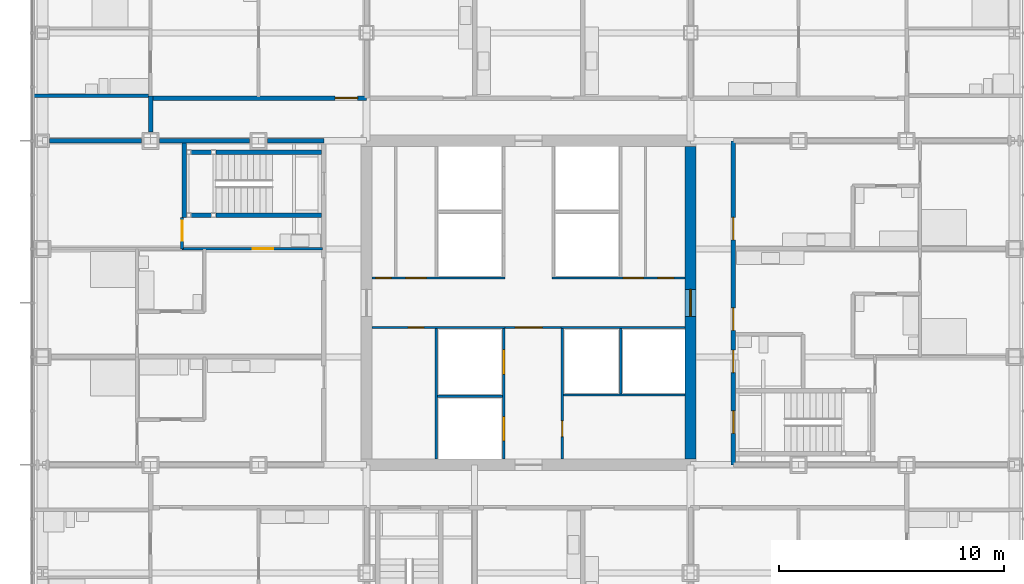
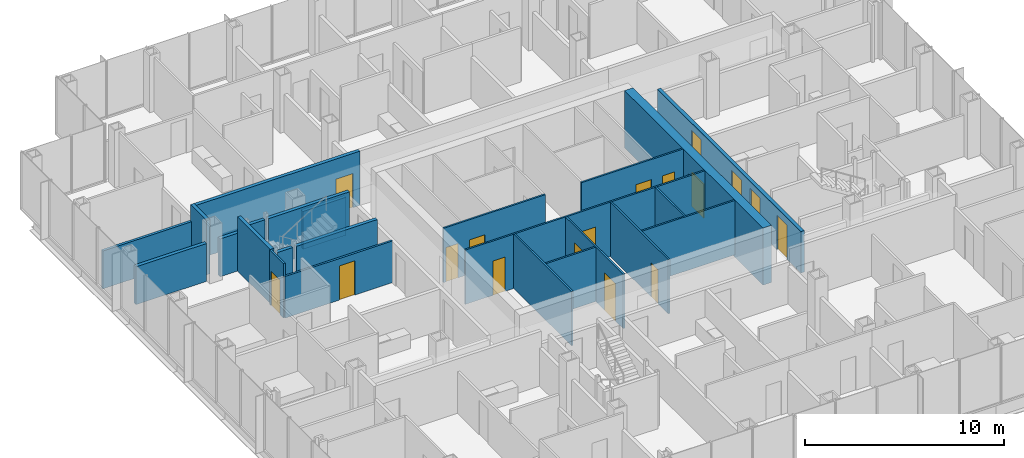
# One storey, part 15 of 21: 26 walls, 17 doors, 17 openings.
"""IFC4 building model written with IfcOpenShell, lengths in metres."""

from ifc_helpers import new_model, si_unit, direction, frame, frame_2d, origin, place, context, subcontext, project, spatial, rectangle, extrude, material, layer, layer_set, type_object, element, fill, save


model = new_model("IFC4")

# Units and contexts
model_context = context("Model", 3, precision=1e-05, world=origin(), true_north=direction((0.0, 1.0)))
body_context = subcontext(model_context, "Body", "Model", "MODEL_VIEW")
ifc_project = project(units=[si_unit("LENGTHUNIT", "METRE"), si_unit("AREAUNIT", "SQUARE_METRE"), si_unit("VOLUMEUNIT", "CUBIC_METRE"), si_unit("PLANEANGLEUNIT", "RADIAN"), si_unit("MASSUNIT", "GRAM", prefix="KILO")], contexts=[model_context])

# Site, building, storey
site_placement = place(None, origin())
site = spatial("IfcSite", under=ifc_project, at=site_placement, CompositionType="ELEMENT")
building_placement = place(site_placement, origin())
building = spatial("IfcBuilding", under=site, at=building_placement, Name="Kvirike Care Tower", CompositionType="ELEMENT")
storey_placement = place(building_placement, frame((0.0, 0.0, 48.0)))
storey = spatial("IfcBuildingStorey", under=building, at=storey_placement, Name="L12", CompositionType="ELEMENT", Elevation=48.0)

# Wall
ifc_material_1 = material(Name="Moisture-resistant board partition", Category="gypsum")
ifc_layer_1 = layer(ifc_material_1, 0.14990234375)
ifc_layer_set_1 = layer_set([ifc_layer_1], Name="BATHROOM WALL 150")
wall_type_1 = type_object("IfcWallType", Name="BATHROOM WALL 150", PredefinedType="PARTITIONING", material=ifc_layer_set_1)
wall_1_placement = place(storey_placement, frame((4.699951171875, 45.199951171875, 0.0), z_axis=(0.0, 0.0, 1.0), x_axis=(-1.0, 0.0, 0.0)))
element("IfcWall", 1, at=wall_1_placement, inside=storey, type_object=wall_type_1, Name="Bathroom Wall 150 L12", PredefinedType="PARTITIONING", context=body_context, shape_type="SweptSolid", body=[
    extrude(rectangle(XDim=5.135009765625, YDim=0.14990234375, at=frame_2d((2.5673828125, 0.0))), origin(), (0.0, 0.0, 1.0), 2.320068359375),
])

# Wall, opening, door
ifc_material_2 = material(Name="Concrete C60/75", Category="concrete")
ifc_layer_2 = layer(ifc_material_2, 0.5)
ifc_layer_set_2 = layer_set([ifc_layer_2], Name="CORE WALL 500 C60-75")
wall_type_2 = type_object("IfcWallType", Name="CORE WALL 500 C60-75", PredefinedType="SHEAR", material=ifc_layer_set_2)
wall_2_placement = place(storey_placement, frame((28.800048828125, 29.050048828125, -0.169921875), z_axis=(0.0, 0.0, 1.0), x_axis=(0.0, 1.0, 0.0)))
wall_2 = element("IfcWall", 2, at=wall_2_placement, inside=storey, type_object=wall_type_2, Name="Core wall E L12", PredefinedType="SHEAR", context=body_context, shape_type="SweptSolid", body=[
    extrude(rectangle(XDim=13.89990234375, YDim=0.5, at=frame_2d((6.949951171875, 0.0))), origin(), (0.0, 0.0, 1.0), 3.5),
])
opening_1_placement = place(wall_2_placement, frame((6.35009765625, 0.0, 0.169921875)))
opening_1 = element("IfcOpeningElement", 3, at=opening_1_placement, cuts=wall_2, Name="Opening 12-077", PredefinedType="OPENING", context=body_context, shape_type="SweptSolid", body=[
    extrude(rectangle(XDim=1.199951171875, YDim=2.10009765625, at=frame_2d((0.60009765625, 1.050048828125))), frame((0.0, 0.260498046875, 0.0), z_axis=(0.0, -1.0, 0.0), x_axis=(1.0, 0.0, 0.0)), (0.0, 0.0, 1.0), 0.52099609375),
])
ifc_material_3 = material(Name="Timber door set", Category="wood")
door_type_1 = type_object("IfcDoorType", Name="CORE DOOR 1200", OperationType="SINGLE_SWING_LEFT", PredefinedType="DOOR", material=ifc_material_3)
door_1_placement = place(opening_1_placement, origin())
door_1 = element("IfcDoor", 4, at=door_1_placement, inside=storey, type_object=door_type_1, Name="Core door E L12", OperationType="SINGLE_SWING_LEFT", OverallHeight=2.10009765625, OverallWidth=1.199951171875, PredefinedType="DOOR", context=body_context, shape_type="SweptSolid", body=[
    extrude(rectangle(XDim=1.199951171875, YDim=2.10009765625, at=frame_2d((0.60009765625, 1.050048828125))), frame((0.0, 0.02685546875, 0.0), z_axis=(0.0, -1.0, 0.0), x_axis=(1.0, 0.0, 0.0)), (0.0, 0.0, 1.0), 0.053955078125),
])
fill(opening_1, door_1)

ifc_material_4 = material(Name="Plasterboard corridor wall", Category="gypsum")
ifc_layer_3 = layer(ifc_material_4, 0.199951171875)
ifc_layer_set_3 = layer_set([ifc_layer_3], Name="CORRIDOR WALL 200")
wall_type_3 = type_object("IfcWallType", Name="CORRIDOR WALL 200", PredefinedType="PARTITIONING", material=ifc_layer_set_3)
wall_3_placement = place(storey_placement, frame((14.39990234375, 45.10009765625, 0.0), z_axis=(0.0, 0.0, 1.0), x_axis=(-1.0, 0.0, 0.0)))
wall_3 = element("IfcWall", 5, at=wall_3_placement, inside=storey, type_object=wall_type_3, Name="Corridor Wall 200 L12", PredefinedType="PARTITIONING", context=body_context, shape_type="SweptSolid", body=[
    extrude(rectangle(XDim=9.599853515625, YDim=0.199951171875, at=frame_2d((4.7998046875, 0.0))), origin(), (0.0, 0.0, 1.0), 3.330078125),
])
opening_2_placement = place(wall_3_placement, frame((0.39990234375, 0.0, 0.0)))
opening_2 = element("IfcOpeningElement", 6, at=opening_2_placement, cuts=wall_3, Name="Opening 12-023", PredefinedType="OPENING", context=body_context, shape_type="SweptSolid", body=[
    extrude(rectangle(XDim=1.0, YDim=2.10009765625, at=frame_2d((0.5, 1.050048828125))), frame((0.0, 0.110595703125, 0.0), z_axis=(0.0, -1.0, 0.0), x_axis=(1.0, 0.0, 0.0)), (0.0, 0.0, 1.0), 0.220947265625),
])
ifc_material_5 = material(Name="Timber door set", Category="wood")
door_type_2 = type_object("IfcDoorType", Name="FLAT ENTRANCE DOOR 1000", OperationType="SINGLE_SWING_LEFT", PredefinedType="DOOR", material=ifc_material_5)
door_2_placement = place(opening_2_placement, frame((1.0, 0.0, 0.0), z_axis=(0.0, 0.0, 1.0), x_axis=(-1.0, 0.0, 0.0)))
door_2 = element("IfcDoor", 7, at=door_2_placement, inside=storey, type_object=door_type_2, Name="Three-bedroom corner apartment entrance", OperationType="SINGLE_SWING_LEFT", OverallHeight=2.10009765625, OverallWidth=1.0, PredefinedType="DOOR", context=body_context, shape_type="SweptSolid", body=[
    extrude(rectangle(XDim=1.0, YDim=2.10009765625, at=frame_2d((0.5, 1.050048828125))), frame((0.0, 0.02685546875, 0.0), z_axis=(0.0, -1.0, 0.0), x_axis=(1.0, 0.0, 0.0)), (0.0, 0.0, 1.0), 0.053955078125),
])
fill(opening_2, door_2)

# Wall
wall_4_placement = place(storey_placement, frame((4.800048828125, 45.199951171875, 0.0), z_axis=(0.0, 0.0, 1.0), x_axis=(0.0, -1.0, 0.0)))
element("IfcWall", 8, at=wall_4_placement, inside=storey, type_object=wall_type_3, Name="Corridor Wall 200 L12", PredefinedType="PARTITIONING", context=body_context, shape_type="SweptSolid", body=[
    extrude(rectangle(XDim=1.60498046875, YDim=0.199951171875, at=frame_2d((0.802490234375, 0.0))), origin(), (0.0, 0.0, 1.0), 3.330078125),
])

# Wall, openings, doors
wall_5_placement = place(storey_placement, frame((30.699951171875, 28.800048828125, 0.0), z_axis=(0.0, 0.0, 1.0), x_axis=(0.0, 1.0, 0.0)))
wall_5 = element("IfcWall", 9, at=wall_5_placement, inside=storey, type_object=wall_type_3, Name="Corridor Wall 200 L12", PredefinedType="PARTITIONING", context=body_context, shape_type="SweptSolid", body=[
    extrude(rectangle(XDim=14.39990234375, YDim=0.199951171875, at=frame_2d((7.199951171875, 0.0))), origin(), (0.0, 0.0, 1.0), 2.550048828125),
])
opening_3_placement = place(wall_5_placement, frame((1.39990234375, 0.0, 0.0)))
opening_3 = element("IfcOpeningElement", 10, at=opening_3_placement, cuts=wall_5, Name="Opening 12-053", PredefinedType="OPENING", context=body_context, shape_type="SweptSolid", body=[
    extrude(rectangle(XDim=1.0, YDim=2.10009765625, at=frame_2d((0.5, 1.050048828125))), frame((0.0, 0.110595703125, 0.0), z_axis=(0.0, -1.0, 0.0), x_axis=(1.0, 0.0, 0.0)), (0.0, 0.0, 1.0), 0.220947265625),
])
opening_4_placement = place(wall_5_placement, frame((4.10009765625, 0.0, 0.0)))
opening_4 = element("IfcOpeningElement", 11, at=opening_4_placement, cuts=wall_5, Name="Opening 12-054", PredefinedType="OPENING", context=body_context, shape_type="SweptSolid", body=[
    extrude(rectangle(XDim=1.0, YDim=2.10009765625, at=frame_2d((0.5, 1.050048828125))), frame((0.0, 0.110595703125, 0.0), z_axis=(0.0, -1.0, 0.0), x_axis=(1.0, 0.0, 0.0)), (0.0, 0.0, 1.0), 0.220947265625),
])
opening_5_placement = place(wall_5_placement, frame((5.97509765625, 0.0, 0.0)))
opening_5 = element("IfcOpeningElement", 12, at=opening_5_placement, cuts=wall_5, Name="Opening 12-055", PredefinedType="OPENING", context=body_context, shape_type="SweptSolid", body=[
    extrude(rectangle(XDim=1.0, YDim=2.10009765625, at=frame_2d((0.5, 1.050048828125))), frame((0.0, 0.110595703125, 0.0), z_axis=(0.0, -1.0, 0.0), x_axis=(1.0, 0.0, 0.0)), (0.0, 0.0, 1.0), 0.220947265625),
])
opening_6_placement = place(wall_5_placement, frame((10.0, 0.0, 0.0)))
opening_6 = element("IfcOpeningElement", 13, at=opening_6_placement, cuts=wall_5, Name="Opening 12-056", PredefinedType="OPENING", context=body_context, shape_type="SweptSolid", body=[
    extrude(rectangle(XDim=1.0, YDim=2.10009765625, at=frame_2d((0.5, 1.050048828125))), frame((0.0, 0.110595703125, 0.0), z_axis=(0.0, -1.0, 0.0), x_axis=(1.0, 0.0, 0.0)), (0.0, 0.0, 1.0), 0.220947265625),
])
door_3_placement = place(opening_5_placement, frame((1.0, 0.0, 0.0), z_axis=(0.0, 0.0, 1.0), x_axis=(-1.0, 0.0, 0.0)))
door_3 = element("IfcDoor", 14, at=door_3_placement, inside=storey, type_object=door_type_2, Name="One-bedroom apartment entrance", OperationType="SINGLE_SWING_LEFT", OverallHeight=2.10009765625, OverallWidth=1.0, PredefinedType="DOOR", context=body_context, shape_type="SweptSolid", body=[
    extrude(rectangle(XDim=1.0, YDim=2.10009765625, at=frame_2d((0.5, 1.050048828125))), frame((0.0, 0.02685546875, 0.0), z_axis=(0.0, -1.0, 0.0), x_axis=(1.0, 0.0, 0.0)), (0.0, 0.0, 1.0), 0.053955078125),
])
fill(opening_5, door_3)
door_4_placement = place(opening_6_placement, frame((1.0, 0.0, 0.0), z_axis=(0.0, 0.0, 1.0), x_axis=(-1.0, 0.0, 0.0)))
door_4 = element("IfcDoor", 15, at=door_4_placement, inside=storey, type_object=door_type_2, Name="Studio apartment entrance", OperationType="SINGLE_SWING_LEFT", OverallHeight=2.10009765625, OverallWidth=1.0, PredefinedType="DOOR", context=body_context, shape_type="SweptSolid", body=[
    extrude(rectangle(XDim=1.0, YDim=2.10009765625, at=frame_2d((0.5, 1.050048828125))), frame((0.0, 0.02685546875, 0.0), z_axis=(0.0, -1.0, 0.0), x_axis=(1.0, 0.0, 0.0)), (0.0, 0.0, 1.0), 0.053955078125),
])
fill(opening_6, door_4)
ifc_material_6 = material(Name="Timber door set", Category="wood")
door_type_3 = type_object("IfcDoorType", Name="STAIR DOOR 1000", OperationType="SINGLE_SWING_LEFT", PredefinedType="DOOR", material=ifc_material_6)
door_5_placement = place(opening_3_placement, frame((1.0, 0.0, 0.0), z_axis=(0.0, 0.0, 1.0), x_axis=(-1.0, 0.0, 0.0)))
door_5 = element("IfcDoor", 16, at=door_5_placement, inside=storey, type_object=door_type_3, Name="Stair 2 door", OperationType="SINGLE_SWING_LEFT", OverallHeight=2.10009765625, OverallWidth=1.0, PredefinedType="DOOR", context=body_context, shape_type="SweptSolid", body=[
    extrude(rectangle(XDim=1.0, YDim=2.10009765625, at=frame_2d((0.5, 1.050048828125))), frame((0.0, 0.031982421875, 0.0), z_axis=(0.0, -1.0, 0.0), x_axis=(1.0, 0.0, 0.0)), (0.0, 0.0, 1.0), 0.06396484375),
])
fill(opening_3, door_5)
ifc_material_7 = material(Name="Timber door set", Category="wood")
door_type_4 = type_object("IfcDoorType", Name="WC DOOR 1000", OperationType="SINGLE_SWING_LEFT", PredefinedType="DOOR", material=ifc_material_7)
door_6_placement = place(opening_4_placement, frame((1.0, 0.0, 0.0), z_axis=(0.0, 0.0, 1.0), x_axis=(-1.0, 0.0, 0.0)))
door_6 = element("IfcDoor", 17, at=door_6_placement, inside=storey, type_object=door_type_4, Name="Accessible WC door", OperationType="SINGLE_SWING_LEFT", OverallHeight=2.10009765625, OverallWidth=1.0, PredefinedType="DOOR", context=body_context, shape_type="SweptSolid", body=[
    extrude(rectangle(XDim=1.0, YDim=2.10009765625, at=frame_2d((0.5, 1.050048828125))), frame((0.0, 0.02685546875, 0.0), z_axis=(0.0, -1.0, 0.0), x_axis=(1.0, 0.0, 0.0)), (0.0, 0.0, 1.0), 0.053955078125),
])
fill(opening_4, door_6)

# Wall, opening, door
ifc_material_8 = material(Name="Plasterboard partition", Category="gypsum")
ifc_layer_4 = layer(ifc_material_8, 0.1201171875)
ifc_layer_set_4 = layer_set([ifc_layer_4], Name="PARTITION 120")
wall_type_4 = type_object("IfcWallType", Name="PARTITION 120", PredefinedType="PARTITIONING", material=ifc_layer_set_4)
wall_6_placement = place(storey_placement, frame((6.199951171875, 38.39990234375, 0.0), z_axis=(0.0, 0.0, 1.0), x_axis=(1.0, 0.0, 0.0)))
wall_6 = element("IfcWall", 18, at=wall_6_placement, inside=storey, type_object=wall_type_4, Name="Partition 120 L12", PredefinedType="PARTITIONING", context=body_context, shape_type="SweptSolid", body=[
    extrude(rectangle(XDim=6.25, YDim=0.1201171875, at=frame_2d((3.125, 0.0))), origin(), (0.0, 0.0, 1.0), 2.550048828125),
])
opening_7_placement = place(wall_6_placement, frame((3.14990234375, 0.0, 0.0)))
opening_7 = element("IfcOpeningElement", 19, at=opening_7_placement, cuts=wall_6, Name="Opening 12-009", PredefinedType="OPENING", context=body_context, shape_type="SweptSolid", body=[
    extrude(rectangle(XDim=0.89990234375, YDim=2.10009765625, at=frame_2d((0.449951171875, 1.050048828125))), frame((0.0, 0.070556640625, 0.0), z_axis=(0.0, -1.0, 0.0), x_axis=(1.0, 0.0, 0.0)), (0.0, 0.0, 1.0), 0.14111328125),
])
ifc_material_9 = material(Name="Timber door set", Category="wood")
door_type_5 = type_object("IfcDoorType", Name="INTERNAL DOOR 900", OperationType="SINGLE_SWING_LEFT", PredefinedType="DOOR", material=ifc_material_9)
door_7_placement = place(opening_7_placement, origin())
door_7 = element("IfcDoor", 20, at=door_7_placement, inside=storey, type_object=door_type_5, Name="Hall door", OperationType="SINGLE_SWING_LEFT", OverallHeight=2.10009765625, OverallWidth=0.89990234375, PredefinedType="DOOR", context=body_context, shape_type="SweptSolid", body=[
    extrude(rectangle(XDim=0.89990234375, YDim=2.10009765625, at=frame_2d((0.449951171875, 1.050048828125))), frame((0.0, 0.02197265625, 0.0), z_axis=(0.0, -1.0, 0.0), x_axis=(1.0, 0.0, 0.0)), (0.0, 0.0, 1.0), 0.0439453125),
])
fill(opening_7, door_7)

wall_7_placement = place(storey_placement, frame((6.199951171875, 39.800048828125, 0.0), z_axis=(0.0, 0.0, 1.0), x_axis=(0.0, -1.0, 0.0)))
wall_7 = element("IfcWall", 21, at=wall_7_placement, inside=storey, type_object=wall_type_4, Name="Partition 120 L12", PredefinedType="PARTITIONING", context=body_context, shape_type="SweptSolid", body=[
    extrude(rectangle(XDim=1.400146484375, YDim=0.1201171875, at=frame_2d((0.7001953125, 0.0))), origin(), (0.0, 0.0, 1.0), 3.330078125),
])
opening_8_placement = place(wall_7_placement, frame((0.14990234375, 0.0, 0.0)))
opening_8 = element("IfcOpeningElement", 22, at=opening_8_placement, cuts=wall_7, Name="Opening 12-010", PredefinedType="OPENING", context=body_context, shape_type="SweptSolid", body=[
    extrude(rectangle(XDim=0.89990234375, YDim=2.10009765625, at=frame_2d((0.449951171875, 1.050048828125))), frame((0.0, 0.070556640625, 0.0), z_axis=(0.0, -1.0, 0.0), x_axis=(1.0, 0.0, 0.0)), (0.0, 0.0, 1.0), 0.14111328125),
])
door_8_placement = place(opening_8_placement, origin())
door_8 = element("IfcDoor", 23, at=door_8_placement, inside=storey, type_object=door_type_5, Name="Apartment living room door", OperationType="SINGLE_SWING_RIGHT", OverallHeight=2.10009765625, OverallWidth=0.89990234375, PredefinedType="DOOR", context=body_context, shape_type="SweptSolid", body=[
    extrude(rectangle(XDim=0.89990234375, YDim=2.10009765625, at=frame_2d((0.449951171875, 1.050048828125))), frame((0.0, 0.02197265625, 0.0), z_axis=(0.0, -1.0, 0.0), x_axis=(1.0, 0.0, 0.0)), (0.0, 0.0, 1.0), 0.0439453125),
])
fill(opening_8, door_8)

# Walls
ifc_material_10 = material(Name="Plasterboard party wall", Category="gypsum")
ifc_layer_5 = layer(ifc_material_10, 0.199951171875)
ifc_layer_set_5 = layer_set([ifc_layer_5], Name="PARTY WALL 200")
wall_type_5 = type_object("IfcWallType", Name="PARTY WALL 200", PredefinedType="PARTITIONING", material=ifc_layer_set_5)
wall_8_placement = place(storey_placement, frame((12.5, 43.199951171875, 0.0), z_axis=(0.0, 0.0, 1.0), x_axis=(-1.0, 0.0, 0.0)))
element("IfcWall", 24, at=wall_8_placement, inside=storey, type_object=wall_type_5, Name="Party Wall 200 L12", PredefinedType="PARTITIONING", context=body_context, shape_type="SweptSolid", body=[
    extrude(rectangle(XDim=2.5048828125, YDim=0.199951171875, at=frame_2d((1.25244140625, 0.0))), origin(), (0.0, 0.0, 1.0), 2.320068359375),
])
wall_9_placement = place(storey_placement, frame((9.205078125, 43.199951171875, 0.0), z_axis=(0.0, 0.0, 1.0), x_axis=(-1.0, 0.0, 0.0)))
element("IfcWall", 25, at=wall_9_placement, inside=storey, type_object=wall_type_5, Name="Party Wall 200 L12", PredefinedType="PARTITIONING", context=body_context, shape_type="SweptSolid", body=[
    extrude(rectangle(XDim=4.010009765625, YDim=0.199951171875, at=frame_2d((2.0048828125, 0.0))), origin(), (0.0, 0.0, 1.0), 2.320068359375),
])
wall_10_placement = place(storey_placement, frame((4.405029296875, 43.199951171875, 0.0), z_axis=(0.0, 0.0, 1.0), x_axis=(-1.0, 0.0, 0.0)))
element("IfcWall", 26, at=wall_10_placement, inside=storey, type_object=wall_type_5, Name="Party Wall 200 L12", PredefinedType="PARTITIONING", context=body_context, shape_type="SweptSolid", body=[
    extrude(rectangle(XDim=4.0849609375, YDim=0.199951171875, at=frame_2d((2.04248046875, 0.0))), origin(), (0.0, 0.0, 1.0), 2.320068359375),
])

# Wall, openings, doors
ifc_material_11 = material(Name="Gypsum shaft wall system", Category="gypsum")
ifc_layer_6 = layer(ifc_material_11, 0.10009765625)
ifc_layer_set_6 = layer_set([ifc_layer_6], Name="SHAFT WALL 100")
wall_type_6 = type_object("IfcWallType", Name="SHAFT WALL 100", PredefinedType="SOLIDWALL", material=ifc_layer_set_6)
wall_11_placement = place(storey_placement, frame((20.5, 29.050048828125, 0.0), z_axis=(0.0, 0.0, 1.0), x_axis=(0.0, 1.0, 0.0)))
wall_11 = element("IfcWall", 27, at=wall_11_placement, inside=storey, type_object=wall_type_6, Name="Shaft Wall 100 L12", PredefinedType="SOLIDWALL", context=body_context, shape_type="SweptSolid", body=[
    extrude(rectangle(XDim=5.800048828125, YDim=0.10009765625, at=frame_2d((2.89990234375, 0.0))), origin(), (0.0, 0.0, 1.0), 3.330078125),
])
opening_9_placement = place(wall_11_placement, frame((0.800048828125, 0.0, 0.0)))
opening_9 = element("IfcOpeningElement", 28, at=opening_9_placement, cuts=wall_11, Name="Opening 12-064", PredefinedType="OPENING", context=body_context, shape_type="SweptSolid", body=[
    extrude(rectangle(XDim=1.10009765625, YDim=2.300048828125, at=frame_2d((0.550048828125, 1.14990234375))), frame((0.0, 0.060546875, 0.0), z_axis=(0.0, -1.0, 0.0), x_axis=(1.0, 0.0, 0.0)), (0.0, 0.0, 1.0), 0.12109375),
])
opening_10_placement = place(wall_11_placement, frame((3.77490234375, 0.0, 0.0)))
opening_10 = element("IfcOpeningElement", 29, at=opening_10_placement, cuts=wall_11, Name="Opening 12-065", PredefinedType="OPENING", context=body_context, shape_type="SweptSolid", body=[
    extrude(rectangle(XDim=1.10009765625, YDim=2.300048828125, at=frame_2d((0.550048828125, 1.14990234375))), frame((0.0, 0.060546875, 0.0), z_axis=(0.0, -1.0, 0.0), x_axis=(1.0, 0.0, 0.0)), (0.0, 0.0, 1.0), 0.12109375),
])
ifc_material_12 = material(Name="Aluminium door frame", Category="aluminium")
door_type_6 = type_object("IfcDoorType", Name="FIRE-FIGHTING LIFT LANDING DOOR 1100", OperationType="SLIDING_TO_LEFT", PredefinedType="DOOR", material=ifc_material_12)
door_9_placement = place(opening_9_placement, origin())
door_9 = element("IfcDoor", 30, at=door_9_placement, inside=storey, type_object=door_type_6, Name="Lift FF1 landing door", OperationType="SLIDING_TO_LEFT", OverallHeight=2.300048828125, OverallWidth=1.10009765625, PredefinedType="DOOR", context=body_context, shape_type="SweptSolid", body=[
    extrude(rectangle(XDim=1.10009765625, YDim=2.300048828125, at=frame_2d((0.550048828125, 1.14990234375))), frame((0.0, 0.0498046875, 0.0), z_axis=(0.0, -1.0, 0.0), x_axis=(1.0, 0.0, 0.0)), (0.0, 0.0, 1.0), 0.099609375),
])
fill(opening_9, door_9)
door_10_placement = place(opening_10_placement, origin())
door_10 = element("IfcDoor", 31, at=door_10_placement, inside=storey, type_object=door_type_6, Name="Lift FF2 landing door", OperationType="SLIDING_TO_LEFT", OverallHeight=2.300048828125, OverallWidth=1.10009765625, PredefinedType="DOOR", context=body_context, shape_type="SweptSolid", body=[
    extrude(rectangle(XDim=1.10009765625, YDim=2.300048828125, at=frame_2d((0.550048828125, 1.14990234375))), frame((0.0, 0.0498046875, 0.0), z_axis=(0.0, -1.0, 0.0), x_axis=(1.0, 0.0, 0.0)), (0.0, 0.0, 1.0), 0.099609375),
])
fill(opening_10, door_10)

# Wall, opening, door
wall_12_placement = place(storey_placement, frame((23.10009765625, 29.050048828125, 0.0), z_axis=(0.0, 0.0, 1.0), x_axis=(0.0, 1.0, 0.0)))
wall_12 = element("IfcWall", 32, at=wall_12_placement, inside=storey, type_object=wall_type_6, Name="Shaft Wall 100 L12", PredefinedType="SOLIDWALL", context=body_context, shape_type="SweptSolid", body=[
    extrude(rectangle(XDim=5.800048828125, YDim=0.10009765625, at=frame_2d((2.89990234375, 0.0))), origin(), (0.0, 0.0, 1.0), 3.330078125),
])
opening_11_placement = place(wall_12_placement, frame((1.0, 0.0, 0.0)))
opening_11 = element("IfcOpeningElement", 33, at=opening_11_placement, cuts=wall_12, Name="Opening 12-068", PredefinedType="OPENING", context=body_context, shape_type="SweptSolid", body=[
    extrude(rectangle(XDim=0.699951171875, YDim=2.10009765625, at=frame_2d((0.35009765625, 1.050048828125))), frame((0.0, 0.060546875, 0.0), z_axis=(0.0, -1.0, 0.0), x_axis=(1.0, 0.0, 0.0)), (0.0, 0.0, 1.0), 0.12109375),
])
ifc_material_13 = material(Name="Timber door set", Category="wood")
door_type_7 = type_object("IfcDoorType", Name="RISER DOOR 700", OperationType="SINGLE_SWING_LEFT", PredefinedType="DOOR", material=ifc_material_13)
door_11_placement = place(opening_11_placement, origin())
door_11 = element("IfcDoor", 34, at=door_11_placement, inside=storey, type_object=door_type_7, Name="Riser door", OperationType="SINGLE_SWING_RIGHT", OverallHeight=2.10009765625, OverallWidth=0.699951171875, PredefinedType="DOOR", context=body_context, shape_type="SweptSolid", body=[
    extrude(rectangle(XDim=0.699951171875, YDim=2.10009765625, at=frame_2d((0.35009765625, 1.050048828125))), frame((0.0, 0.02685546875, 0.0), z_axis=(0.0, -1.0, 0.0), x_axis=(1.0, 0.0, 0.0)), (0.0, 0.0, 1.0), 0.053955078125),
])
fill(opening_11, door_11)

wall_13_placement = place(storey_placement, frame((14.64990234375, 34.89990234375, 0.0), z_axis=(0.0, 0.0, 1.0), x_axis=(1.0, 0.0, 0.0)))
wall_13 = element("IfcWall", 35, at=wall_13_placement, inside=storey, type_object=wall_type_6, Name="Shaft Wall 100 L12", PredefinedType="SOLIDWALL", context=body_context, shape_type="SweptSolid", body=[
    extrude(rectangle(XDim=5.900146484375, YDim=0.10009765625, at=frame_2d((2.9501953125, 0.0))), origin(), (0.0, 0.0, 1.0), 3.330078125),
])
opening_12_placement = place(wall_13_placement, frame((1.60009765625, 0.0, 0.0)))
opening_12 = element("IfcOpeningElement", 36, at=opening_12_placement, cuts=wall_13, Name="Opening 12-069", PredefinedType="OPENING", context=body_context, shape_type="SweptSolid", body=[
    extrude(rectangle(XDim=0.699951171875, YDim=2.10009765625, at=frame_2d((0.35009765625, 1.050048828125))), frame((0.0, 0.060546875, 0.0), z_axis=(0.0, -1.0, 0.0), x_axis=(1.0, 0.0, 0.0)), (0.0, 0.0, 1.0), 0.12109375),
])
door_12_placement = place(opening_12_placement, frame((0.699951171875, 0.0, 0.0), z_axis=(0.0, 0.0, 1.0), x_axis=(-1.0, 0.0, 0.0)))
door_12 = element("IfcDoor", 37, at=door_12_placement, inside=storey, type_object=door_type_7, Name="Riser door", OperationType="SINGLE_SWING_RIGHT", OverallHeight=2.10009765625, OverallWidth=0.699951171875, PredefinedType="DOOR", context=body_context, shape_type="SweptSolid", body=[
    extrude(rectangle(XDim=0.699951171875, YDim=2.10009765625, at=frame_2d((0.35009765625, 1.050048828125))), frame((0.0, 0.02685546875, 0.0), z_axis=(0.0, -1.0, 0.0), x_axis=(1.0, 0.0, 0.0)), (0.0, 0.0, 1.0), 0.053955078125),
])
fill(opening_12, door_12)

# Wall
wall_14_placement = place(storey_placement, frame((23.050048828125, 34.89990234375, 0.0), z_axis=(0.0, 0.0, 1.0), x_axis=(1.0, 0.0, 0.0)))
element("IfcWall", 38, at=wall_14_placement, inside=storey, type_object=wall_type_6, Name="Shaft Wall 100 L12", PredefinedType="SOLIDWALL", context=body_context, shape_type="SweptSolid", body=[
    extrude(rectangle(XDim=5.5, YDim=0.10009765625, at=frame_2d((2.75, 0.0))), origin(), (0.0, 0.0, 1.0), 3.330078125),
])

# Wall, openings, doors
wall_15_placement = place(storey_placement, frame((14.64990234375, 37.10009765625, 0.0), z_axis=(0.0, 0.0, 1.0), x_axis=(1.0, 0.0, 0.0)))
wall_15 = element("IfcWall", 39, at=wall_15_placement, inside=storey, type_object=wall_type_6, Name="Shaft Wall 100 L12", PredefinedType="SOLIDWALL", context=body_context, shape_type="SweptSolid", body=[
    extrude(rectangle(XDim=5.900146484375, YDim=0.10009765625, at=frame_2d((2.9501953125, 0.0))), origin(), (0.0, 0.0, 1.0), 3.330078125),
])
opening_13_placement = place(wall_15_placement, frame((0.14990234375, 0.0, 0.0)))
opening_13 = element("IfcOpeningElement", 40, at=opening_13_placement, cuts=wall_15, Name="Opening 12-070", PredefinedType="OPENING", context=body_context, shape_type="SweptSolid", body=[
    extrude(rectangle(XDim=0.699951171875, YDim=2.10009765625, at=frame_2d((0.35009765625, 1.050048828125))), frame((0.0, 0.060546875, 0.0), z_axis=(0.0, -1.0, 0.0), x_axis=(1.0, 0.0, 0.0)), (0.0, 0.0, 1.0), 0.12109375),
])
opening_14_placement = place(wall_15_placement, frame((1.5, 0.0, 0.0)))
opening_14 = element("IfcOpeningElement", 41, at=opening_14_placement, cuts=wall_15, Name="Opening 12-071", PredefinedType="OPENING", context=body_context, shape_type="SweptSolid", body=[
    extrude(rectangle(XDim=0.89990234375, YDim=2.10009765625, at=frame_2d((0.449951171875, 1.050048828125))), frame((0.0, 0.060546875, 0.0), z_axis=(0.0, -1.0, 0.0), x_axis=(1.0, 0.0, 0.0)), (0.0, 0.0, 1.0), 0.12109375),
])
door_13_placement = place(opening_13_placement, origin())
door_13 = element("IfcDoor", 42, at=door_13_placement, inside=storey, type_object=door_type_7, Name="Riser door", OperationType="SINGLE_SWING_RIGHT", OverallHeight=2.10009765625, OverallWidth=0.699951171875, PredefinedType="DOOR", context=body_context, shape_type="SweptSolid", body=[
    extrude(rectangle(XDim=0.699951171875, YDim=2.10009765625, at=frame_2d((0.35009765625, 1.050048828125))), frame((0.0, 0.02685546875, 0.0), z_axis=(0.0, -1.0, 0.0), x_axis=(1.0, 0.0, 0.0)), (0.0, 0.0, 1.0), 0.053955078125),
])
fill(opening_13, door_13)
ifc_material_14 = material(Name="Timber door set", Category="wood")
door_type_8 = type_object("IfcDoorType", Name="STORE DOOR 900", OperationType="SINGLE_SWING_LEFT", PredefinedType="DOOR", material=ifc_material_14)
door_14_placement = place(opening_14_placement, origin())
door_14 = element("IfcDoor", 43, at=door_14_placement, inside=storey, type_object=door_type_8, Name="Linen store door", OperationType="SINGLE_SWING_LEFT", OverallHeight=2.10009765625, OverallWidth=0.89990234375, PredefinedType="DOOR", context=body_context, shape_type="SweptSolid", body=[
    extrude(rectangle(XDim=0.89990234375, YDim=2.10009765625, at=frame_2d((0.449951171875, 1.050048828125))), frame((0.0, 0.02685546875, 0.0), z_axis=(0.0, -1.0, 0.0), x_axis=(1.0, 0.0, 0.0)), (0.0, 0.0, 1.0), 0.053955078125),
])
fill(opening_14, door_14)

wall_16_placement = place(storey_placement, frame((22.64990234375, 37.10009765625, 0.0), z_axis=(0.0, 0.0, 1.0), x_axis=(1.0, 0.0, 0.0)))
wall_16 = element("IfcWall", 44, at=wall_16_placement, inside=storey, type_object=wall_type_6, Name="Shaft Wall 100 L12", PredefinedType="SOLIDWALL", context=body_context, shape_type="SweptSolid", body=[
    extrude(rectangle(XDim=5.900146484375, YDim=0.10009765625, at=frame_2d((2.9501953125, 0.0))), origin(), (0.0, 0.0, 1.0), 3.330078125),
])
opening_15_placement = place(wall_16_placement, frame((3.14990234375, 0.0, 0.0)))
opening_15 = element("IfcOpeningElement", 45, at=opening_15_placement, cuts=wall_16, Name="Opening 12-072", PredefinedType="OPENING", context=body_context, shape_type="SweptSolid", body=[
    extrude(rectangle(XDim=0.89990234375, YDim=2.10009765625, at=frame_2d((0.449951171875, 1.050048828125))), frame((0.0, 0.060546875, 0.0), z_axis=(0.0, -1.0, 0.0), x_axis=(1.0, 0.0, 0.0)), (0.0, 0.0, 1.0), 0.12109375),
])
opening_16_placement = place(wall_16_placement, frame((4.699951171875, 0.0, 0.0)))
opening_16 = element("IfcOpeningElement", 46, at=opening_16_placement, cuts=wall_16, Name="Opening 12-073", PredefinedType="OPENING", context=body_context, shape_type="SweptSolid", body=[
    extrude(rectangle(XDim=0.699951171875, YDim=2.10009765625, at=frame_2d((0.35009765625, 1.050048828125))), frame((0.0, 0.060546875, 0.0), z_axis=(0.0, -1.0, 0.0), x_axis=(1.0, 0.0, 0.0)), (0.0, 0.0, 1.0), 0.12109375),
])
door_15_placement = place(opening_16_placement, origin())
door_15 = element("IfcDoor", 47, at=door_15_placement, inside=storey, type_object=door_type_7, Name="Riser door", OperationType="SINGLE_SWING_LEFT", OverallHeight=2.10009765625, OverallWidth=0.699951171875, PredefinedType="DOOR", context=body_context, shape_type="SweptSolid", body=[
    extrude(rectangle(XDim=0.699951171875, YDim=2.10009765625, at=frame_2d((0.35009765625, 1.050048828125))), frame((0.0, 0.02685546875, 0.0), z_axis=(0.0, -1.0, 0.0), x_axis=(1.0, 0.0, 0.0)), (0.0, 0.0, 1.0), 0.053955078125),
])
fill(opening_16, door_15)
door_16_placement = place(opening_15_placement, origin())
door_16 = element("IfcDoor", 48, at=door_16_placement, inside=storey, type_object=door_type_8, Name="IT room door", OperationType="SINGLE_SWING_LEFT", OverallHeight=2.10009765625, OverallWidth=0.89990234375, PredefinedType="DOOR", context=body_context, shape_type="SweptSolid", body=[
    extrude(rectangle(XDim=0.89990234375, YDim=2.10009765625, at=frame_2d((0.449951171875, 1.050048828125))), frame((0.0, 0.02685546875, 0.0), z_axis=(0.0, -1.0, 0.0), x_axis=(1.0, 0.0, 0.0)), (0.0, 0.0, 1.0), 0.053955078125),
])
fill(opening_15, door_16)

# Wall, opening, door
wall_17_placement = place(storey_placement, frame((20.550048828125, 34.89990234375, 0.0), z_axis=(0.0, 0.0, 1.0), x_axis=(1.0, 0.0, 0.0)))
wall_17 = element("IfcWall", 49, at=wall_17_placement, inside=storey, type_object=wall_type_6, Name="Shaft Wall 100 L12", PredefinedType="SOLIDWALL", context=body_context, shape_type="SweptSolid", body=[
    extrude(rectangle(XDim=2.5, YDim=0.10009765625, at=frame_2d((1.25, 0.0))), origin(), (0.0, 0.0, 1.0), 3.330078125),
])
opening_17_placement = place(wall_17_placement, frame((0.449951171875, 0.0, 0.0)))
opening_17 = element("IfcOpeningElement", 50, at=opening_17_placement, cuts=wall_17, Name="Opening 12-074", PredefinedType="OPENING", context=body_context, shape_type="SweptSolid", body=[
    extrude(rectangle(XDim=1.199951171875, YDim=2.10009765625, at=frame_2d((0.60009765625, 1.050048828125))), frame((0.0, 0.060546875, 0.0), z_axis=(0.0, -1.0, 0.0), x_axis=(1.0, 0.0, 0.0)), (0.0, 0.0, 1.0), 0.12109375),
])
door_17_placement = place(opening_17_placement, frame((1.199951171875, 0.0, 0.0), z_axis=(0.0, 0.0, 1.0), x_axis=(-1.0, 0.0, 0.0)))
door_17 = element("IfcDoor", 51, at=door_17_placement, inside=storey, type_object=door_type_1, Name="Fire-fighting lobby door", OperationType="SINGLE_SWING_LEFT", OverallHeight=2.10009765625, OverallWidth=1.199951171875, PredefinedType="DOOR", context=body_context, shape_type="SweptSolid", body=[
    extrude(rectangle(XDim=1.199951171875, YDim=2.10009765625, at=frame_2d((0.60009765625, 1.050048828125))), frame((0.0, 0.02685546875, 0.0), z_axis=(0.0, -1.0, 0.0), x_axis=(1.0, 0.0, 0.0)), (0.0, 0.0, 1.0), 0.053955078125),
])
fill(opening_17, door_17)

# Walls
wall_18_placement = place(storey_placement, frame((17.5, 29.050048828125, 0.0), z_axis=(0.0, 0.0, 1.0), x_axis=(0.0, 1.0, 0.0)))
element("IfcWall", 52, at=wall_18_placement, inside=storey, type_object=wall_type_6, Name="Shaft Wall 100 L12", PredefinedType="SOLIDWALL", context=body_context, shape_type="SweptSolid", body=[
    extrude(rectangle(XDim=5.800048828125, YDim=0.10009765625, at=frame_2d((2.89990234375, 0.0))), origin(), (0.0, 0.0, 1.0), 3.330078125),
])
wall_19_placement = place(storey_placement, frame((17.550048828125, 31.85009765625, 0.0), z_axis=(0.0, 0.0, 1.0), x_axis=(1.0, 0.0, 0.0)))
element("IfcWall", 53, at=wall_19_placement, inside=storey, type_object=wall_type_6, Name="Shaft Wall 100 L12", PredefinedType="SOLIDWALL", context=body_context, shape_type="SweptSolid", body=[
    extrude(rectangle(XDim=2.89990234375, YDim=0.10009765625, at=frame_2d((1.449951171875, 0.0))), origin(), (0.0, 0.0, 1.0), 3.330078125),
])
wall_20_placement = place(storey_placement, frame((25.699951171875, 31.949951171875, 0.0), z_axis=(0.0, 0.0, 1.0), x_axis=(0.0, 1.0, 0.0)))
element("IfcWall", 54, at=wall_20_placement, inside=storey, type_object=wall_type_6, Name="Shaft Wall 100 L12", PredefinedType="SOLIDWALL", context=body_context, shape_type="SweptSolid", body=[
    extrude(rectangle(XDim=2.900146484375, YDim=0.10009765625, at=frame_2d((1.4501953125, 0.0))), origin(), (0.0, 0.0, 1.0), 3.330078125),
])
wall_21_placement = place(storey_placement, frame((23.14990234375, 31.89990234375, 0.0), z_axis=(0.0, 0.0, 1.0), x_axis=(1.0, 0.0, 0.0)))
element("IfcWall", 55, at=wall_21_placement, inside=storey, type_object=wall_type_6, Name="Shaft Wall 100 L12", PredefinedType="SOLIDWALL", context=body_context, shape_type="SweptSolid", body=[
    extrude(rectangle(XDim=5.400146484375, YDim=0.10009765625, at=frame_2d((2.7001953125, 0.0))), origin(), (0.0, 0.0, 1.0), 3.330078125),
])
ifc_material_15 = material(Name="Concrete C40/50", Category="concrete")
ifc_layer_7 = layer(ifc_material_15, 0.199951171875)
ifc_layer_set_7 = layer_set([ifc_layer_7], Name="STAIR WALL 200")
wall_type_7 = type_object("IfcWallType", Name="STAIR WALL 200", PredefinedType="SOLIDWALL", material=ifc_layer_set_7)
wall_22_placement = place(storey_placement, frame((6.60009765625, 42.699951171875, 0.0), z_axis=(0.0, 0.0, 1.0), x_axis=(1.0, 0.0, 0.0)))
element("IfcWall", 56, at=wall_22_placement, inside=storey, type_object=wall_type_7, Name="Stair Wall 200 L12", PredefinedType="SOLIDWALL", context=body_context, shape_type="SweptSolid", body=[
    extrude(rectangle(XDim=0.89990234375, YDim=0.199951171875, at=frame_2d((0.449951171875, 0.0))), origin(), (0.0, 0.0, 1.0), 2.989990234375),
])
wall_23_placement = place(storey_placement, frame((7.699951171875, 42.699951171875, 0.0), z_axis=(0.0, 0.0, 1.0), x_axis=(1.0, 0.0, 0.0)))
element("IfcWall", 57, at=wall_23_placement, inside=storey, type_object=wall_type_7, Name="Stair Wall 200 L12", PredefinedType="SOLIDWALL", context=body_context, shape_type="SweptSolid", body=[
    extrude(rectangle(XDim=4.699951171875, YDim=0.199951171875, at=frame_2d((2.35009765625, 0.0))), origin(), (0.0, 0.0, 1.0), 2.989990234375),
])
wall_24_placement = place(storey_placement, frame((6.60009765625, 39.89990234375, 0.0), z_axis=(0.0, 0.0, 1.0), x_axis=(1.0, 0.0, 0.0)))
element("IfcWall", 58, at=wall_24_placement, inside=storey, type_object=wall_type_7, Name="Stair Wall 200 L12", PredefinedType="SOLIDWALL", context=body_context, shape_type="SweptSolid", body=[
    extrude(rectangle(XDim=0.89990234375, YDim=0.199951171875, at=frame_2d((0.449951171875, 0.0))), origin(), (0.0, 0.0, 1.0), 2.989990234375),
])
wall_25_placement = place(storey_placement, frame((7.699951171875, 39.89990234375, 0.0), z_axis=(0.0, 0.0, 1.0), x_axis=(1.0, 0.0, 0.0)))
element("IfcWall", 59, at=wall_25_placement, inside=storey, type_object=wall_type_7, Name="Stair Wall 200 L12", PredefinedType="SOLIDWALL", context=body_context, shape_type="SweptSolid", body=[
    extrude(rectangle(XDim=4.699951171875, YDim=0.199951171875, at=frame_2d((2.35009765625, 0.0))), origin(), (0.0, 0.0, 1.0), 2.989990234375),
])
wall_26_placement = place(storey_placement, frame((6.300048828125, 43.10009765625, 0.0), z_axis=(0.0, 0.0, 1.0), x_axis=(0.0, -1.0, 0.0)))
element("IfcWall", 60, at=wall_26_placement, inside=storey, type_object=wall_type_7, Name="Stair Wall 200 L12", PredefinedType="SOLIDWALL", context=body_context, shape_type="SweptSolid", body=[
    extrude(rectangle(XDim=3.300048828125, YDim=0.199951171875, at=frame_2d((1.64990234375, 0.0))), origin(), (0.0, 0.0, 1.0), 3.330078125),
])

save(model, "model.ifc")
